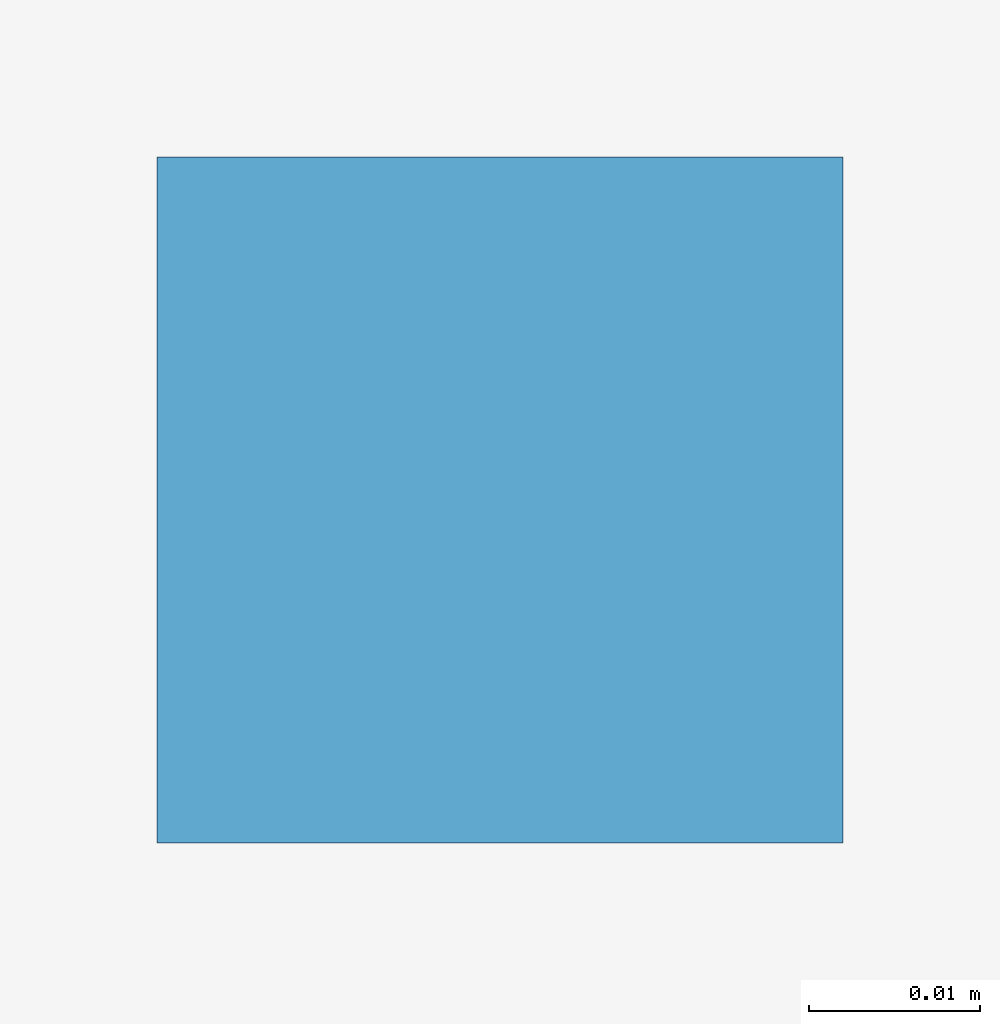
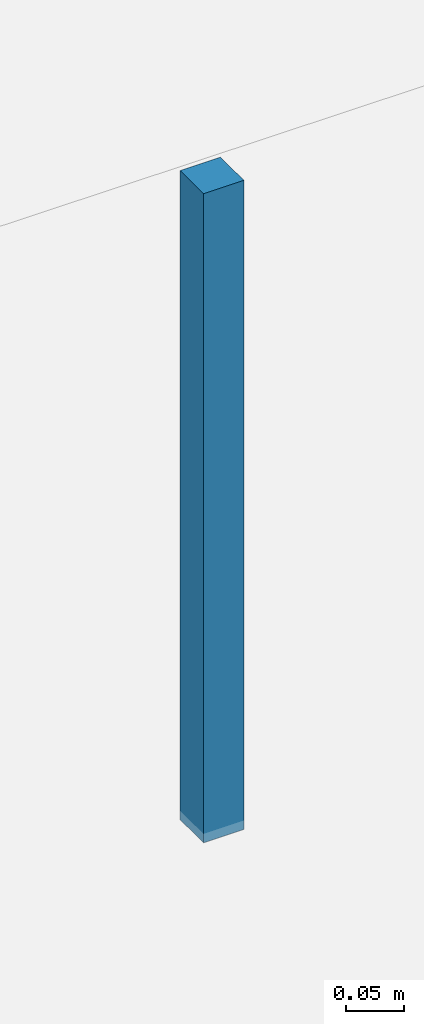
# One storey, part 66 of 88: 1 discrete accessory.
"""IFC4 building model written with IfcOpenShell, lengths in metres."""

from ifc_helpers import new_model, si_unit, direction, frame, origin, origin_2d, place, context, subcontext, project, spatial, rectangle, extrude, material, type_object, element, save


model = new_model("IFC4")

# Units and contexts
model_context = context("Model", 3, precision=1e-05, world=origin(), true_north=direction((0.0, 1.0)))
body_context = subcontext(model_context, "Body", "Model", "MODEL_VIEW")
ifc_project = project(units=[si_unit("LENGTHUNIT", "METRE"), si_unit("AREAUNIT", "SQUARE_METRE"), si_unit("VOLUMEUNIT", "CUBIC_METRE"), si_unit("PLANEANGLEUNIT", "RADIAN"), si_unit("MASSUNIT", "GRAM", prefix="KILO")], contexts=[model_context])

# Site, building, storey
site_placement = place(None, origin())
site = spatial("IfcSite", under=ifc_project, at=site_placement, CompositionType="ELEMENT")
building_placement = place(site_placement, origin())
building = spatial("IfcBuilding", under=site, at=building_placement, Name="Alvorim Cloister Faculty of Sciences", CompositionType="ELEMENT")
storey_placement = place(building_placement, frame((0.0, 0.0, 4.5)))
storey = spatial("IfcBuildingStorey", under=building, at=storey_placement, Name="L01", CompositionType="ELEMENT", Elevation=4.5)

# Discrete accessory
ifc_material = material(Name="Galvanised Painted Steel", Category="steel")
discrete_accessory_type = type_object("IfcDiscreteAccessoryType", Name="ACC-CEIL-ROD", PredefinedType="BRACKET", material=ifc_material)
discrete_accessory_placement = place(storey_placement, frame((116.449951171875, 1.64990234375, 3.1298828125), z_axis=(0.0, 0.0, 1.0), x_axis=(1.0, 0.0, 0.0)))
element("IfcDiscreteAccessory", 1, at=discrete_accessory_placement, inside=storey, type_object=discrete_accessory_type, Name="Ceiling Suspension Bracket ACC-ROD-013", PredefinedType="BRACKET", context=body_context, shape_type="SweptSolid", body=[
    extrude(rectangle(XDim=0.0400390625, YDim=0.0400390625, at=origin_2d()), origin(), (0.0, 0.0, 1.0), 0.68017578125),
])

save(model, "model.ifc")
